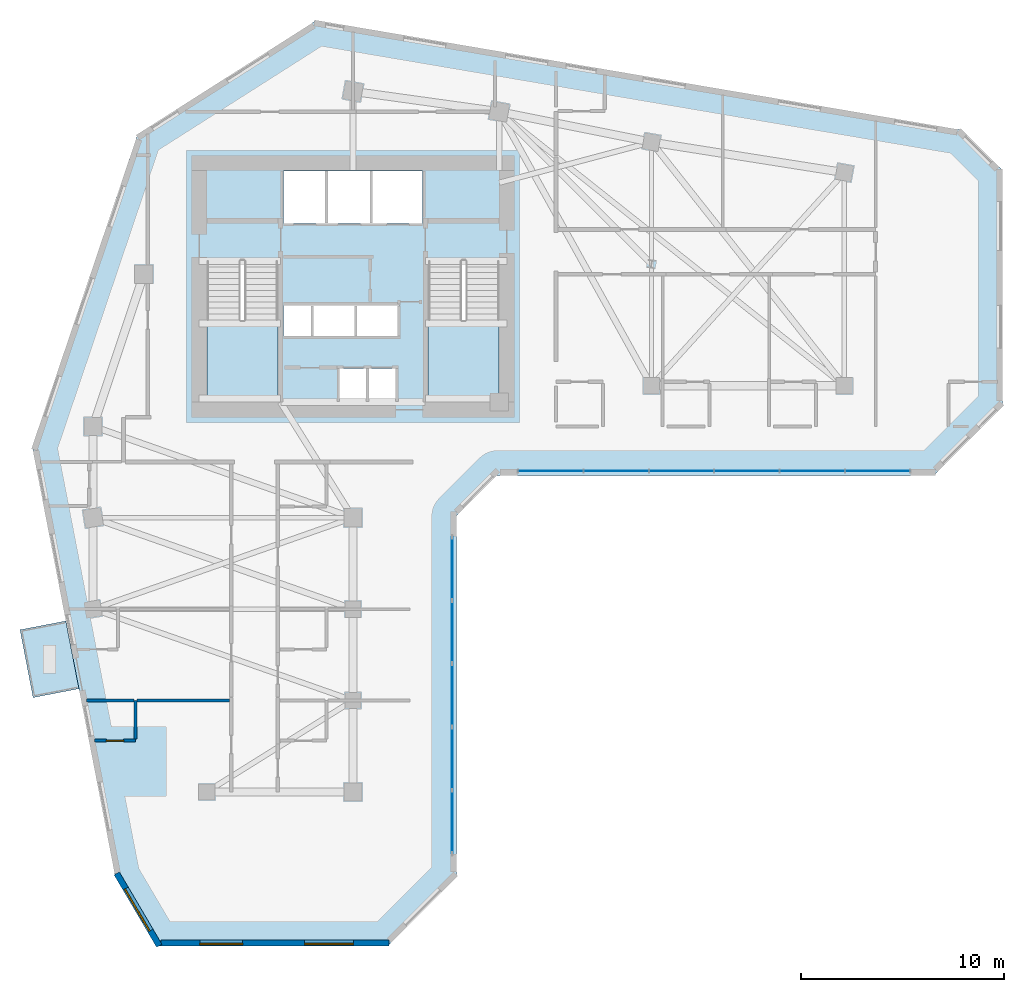
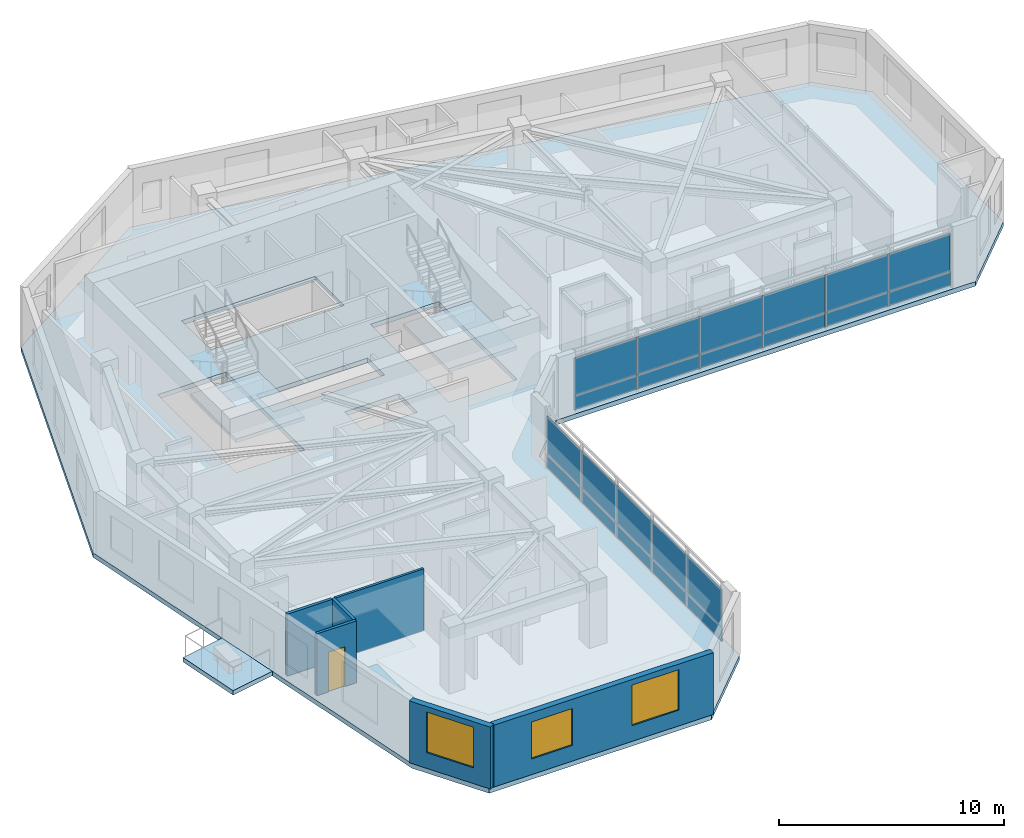
# One storey, part 4 of 12: 22 plates, 6 walls, 4 slabs, 3 windows, 1 door, 4 openings, 4 elements without a shape of their own.
"""IFC4 building model written with IfcOpenShell, lengths in metres."""

from ifc_helpers import new_model, si_unit, direction, frame, frame_2d, origin, place, context, subcontext, project, spatial, polyline, rectangle, outline, extrude, source, transform, mapped, material, layer, layer_set, type_object, element, fill, aggregate, save


model = new_model("IFC4")

# Units and contexts
model_context = context("Model", 3, precision=1e-05, world=origin(), true_north=direction((0.0, 1.0)))
body_context = subcontext(model_context, "Body", "Model", "MODEL_VIEW")
ifc_project = project(units=[si_unit("LENGTHUNIT", "METRE"), si_unit("AREAUNIT", "SQUARE_METRE"), si_unit("VOLUMEUNIT", "CUBIC_METRE"), si_unit("PLANEANGLEUNIT", "RADIAN"), si_unit("MASSUNIT", "GRAM", prefix="KILO")], contexts=[model_context])

# Site, building, storey
site_placement = place(None, origin())
site = spatial("IfcSite", under=ifc_project, at=site_placement, CompositionType="ELEMENT")
building_placement = place(site_placement, origin())
building = spatial("IfcBuilding", under=site, at=building_placement, Name="Calvemar Wedge Station Tower", CompositionType="ELEMENT")
storey_placement = place(building_placement, frame((0.0, 0.0, 121.39990234375)))
storey = spatial("IfcBuildingStorey", under=building, at=storey_placement, Name="L29", CompositionType="ELEMENT", Elevation=121.39990234375)

# Curtain wall, plates
ifc_material_1 = material(Name="Anodised aluminium 6063-T6", Category="aluminium")
curtain_wall_type = type_object("IfcCurtainWallType", Name="CW2", PredefinedType="NOTDEFINED", material=ifc_material_1)
curtain_wall_1_placement = place(storey_placement, origin())
curtain_wall_1 = element("IfcCurtainWall", 1, at=curtain_wall_1_placement, inside=storey, type_object=curtain_wall_type, Name="Storey L29 CW2 Recessed Unitised Curtain Wall 4", PredefinedType="NOTDEFINED")
ifc_material_2 = material(Name="Low-E laminated insulated glass", Category="glass")
ifc_layer_1 = layer(ifc_material_2, 0.028076171875)
ifc_layer_set_1 = layer_set([ifc_layer_1], Name="Low-E laminated insulated glass")
plate_type_1 = type_object("IfcPlateType", Name="CW2-GLZ", PredefinedType="CURTAIN_PANEL", material=ifc_layer_set_1)
plate_1_placement = place(storey_placement, frame((28.68603515625, 11.97998046875, 0.8701171875), z_axis=(0.0, 0.0, 1.0), x_axis=(0.0, 1.0, 0.0)))
plate_1 = element("IfcPlate", 2, at=plate_1_placement, type_object=plate_type_1, Name="CW2 vision glass panel 1", PredefinedType="CURTAIN_PANEL", context=body_context, shape_type="SweptSolid", body=[
    extrude(rectangle(XDim=3.08251953125, YDim=0.028076171875, at=frame_2d((1.541259765625, 0.0))), origin(), (0.0, 0.0, 1.0), 2.010009765625),
])
plate_2_placement = place(storey_placement, frame((28.68603515625, 15.098388671875, 0.8701171875), z_axis=(0.0, 0.0, 1.0), x_axis=(0.0, 1.0, 0.0)))
plate_2 = element("IfcPlate", 3, at=plate_2_placement, type_object=plate_type_1, Name="CW2 vision glass panel 2", PredefinedType="CURTAIN_PANEL", context=body_context, shape_type="SweptSolid", body=[
    extrude(rectangle(XDim=3.08251953125, YDim=0.028076171875, at=frame_2d((1.541259765625, 0.0))), origin(), (0.0, 0.0, 1.0), 2.010009765625),
])
plate_3_placement = place(storey_placement, frame((28.68603515625, 18.216796875, 0.8701171875), z_axis=(0.0, 0.0, 1.0), x_axis=(0.0, 1.0, 0.0)))
plate_3 = element("IfcPlate", 4, at=plate_3_placement, type_object=plate_type_1, Name="CW2 vision glass panel 3", PredefinedType="CURTAIN_PANEL", context=body_context, shape_type="SweptSolid", body=[
    extrude(rectangle(XDim=3.08251953125, YDim=0.028076171875, at=frame_2d((1.541259765625, 0.0))), origin(), (0.0, 0.0, 1.0), 2.010009765625),
])
plate_4_placement = place(storey_placement, frame((28.68603515625, 21.335205078125, 0.8701171875), z_axis=(0.0, 0.0, 1.0), x_axis=(0.0, 1.0, 0.0)))
plate_4 = element("IfcPlate", 5, at=plate_4_placement, type_object=plate_type_1, Name="CW2 vision glass panel 4", PredefinedType="CURTAIN_PANEL", context=body_context, shape_type="SweptSolid", body=[
    extrude(rectangle(XDim=3.08251953125, YDim=0.028076171875, at=frame_2d((1.541259765625, 0.0))), origin(), (0.0, 0.0, 1.0), 2.010009765625),
])
plate_5_placement = place(storey_placement, frame((28.68603515625, 24.45361328125, 0.8701171875), z_axis=(0.0, 0.0, 1.0), x_axis=(0.0, 1.0, 0.0)))
plate_5 = element("IfcPlate", 6, at=plate_5_placement, type_object=plate_type_1, Name="CW2 vision glass panel 5", PredefinedType="CURTAIN_PANEL", context=body_context, shape_type="SweptSolid", body=[
    extrude(rectangle(XDim=3.08251953125, YDim=0.028076171875, at=frame_2d((1.541259765625, 0.0))), origin(), (0.0, 0.0, 1.0), 2.010009765625),
])

curtain_wall_2_placement = place(storey_placement, origin())
curtain_wall_2 = element("IfcCurtainWall", 7, at=curtain_wall_2_placement, inside=storey, type_object=curtain_wall_type, Name="Storey L29 CW2 Recessed Unitised Curtain Wall 6", PredefinedType="NOTDEFINED")
plate_6_placement = place(storey_placement, frame((31.951904296875, 30.802001953125, 0.8701171875), z_axis=(0.0, 0.0, 1.0), x_axis=(1.0, 0.0, 0.0)))
plate_6 = element("IfcPlate", 8, at=plate_6_placement, type_object=plate_type_1, Name="CW2 vision glass panel 1", PredefinedType="CURTAIN_PANEL", context=body_context, shape_type="SweptSolid", body=[
    extrude(rectangle(XDim=3.181396484375, YDim=0.028076171875, at=frame_2d((1.5908203125, 0.0))), origin(), (0.0, 0.0, 1.0), 2.010009765625),
])
plate_7_placement = place(storey_placement, frame((35.169189453125, 30.802001953125, 0.8701171875), z_axis=(0.0, 0.0, 1.0), x_axis=(1.0, 0.0, 0.0)))
plate_7 = element("IfcPlate", 9, at=plate_7_placement, type_object=plate_type_1, Name="CW2 vision glass panel 2", PredefinedType="CURTAIN_PANEL", context=body_context, shape_type="SweptSolid", body=[
    extrude(rectangle(XDim=3.181396484375, YDim=0.028076171875, at=frame_2d((1.5908203125, 0.0))), origin(), (0.0, 0.0, 1.0), 2.010009765625),
])
plate_8_placement = place(storey_placement, frame((38.38671875, 30.802001953125, 0.8701171875), z_axis=(0.0, 0.0, 1.0), x_axis=(1.0, 0.0, 0.0)))
plate_8 = element("IfcPlate", 10, at=plate_8_placement, type_object=plate_type_1, Name="CW2 vision glass panel 3", PredefinedType="CURTAIN_PANEL", context=body_context, shape_type="SweptSolid", body=[
    extrude(rectangle(XDim=3.18115234375, YDim=0.028076171875, at=frame_2d((1.590576171875, 0.0))), origin(), (0.0, 0.0, 1.0), 2.010009765625),
])
plate_9_placement = place(storey_placement, frame((41.60400390625, 30.802001953125, 0.8701171875), z_axis=(0.0, 0.0, 1.0), x_axis=(1.0, 0.0, 0.0)))
plate_9 = element("IfcPlate", 11, at=plate_9_placement, type_object=plate_type_1, Name="CW2 vision glass panel 4", PredefinedType="CURTAIN_PANEL", context=body_context, shape_type="SweptSolid", body=[
    extrude(rectangle(XDim=3.18115234375, YDim=0.028076171875, at=frame_2d((1.590576171875, 0.0))), origin(), (0.0, 0.0, 1.0), 2.010009765625),
])
plate_10_placement = place(storey_placement, frame((44.8212890625, 30.802001953125, 0.8701171875), z_axis=(0.0, 0.0, 1.0), x_axis=(1.0, 0.0, 0.0)))
plate_10 = element("IfcPlate", 12, at=plate_10_placement, type_object=plate_type_1, Name="CW2 vision glass panel 5", PredefinedType="CURTAIN_PANEL", context=body_context, shape_type="SweptSolid", body=[
    extrude(rectangle(XDim=3.181396484375, YDim=0.028076171875, at=frame_2d((1.5908203125, 0.0))), origin(), (0.0, 0.0, 1.0), 2.010009765625),
])
plate_11_placement = place(storey_placement, frame((48.03857421875, 30.802001953125, 0.8701171875), z_axis=(0.0, 0.0, 1.0), x_axis=(1.0, 0.0, 0.0)))
plate_11 = element("IfcPlate", 13, at=plate_11_placement, type_object=plate_type_1, Name="CW2 vision glass panel 6", PredefinedType="CURTAIN_PANEL", context=body_context, shape_type="SweptSolid", body=[
    extrude(rectangle(XDim=3.181396484375, YDim=0.028076171875, at=frame_2d((1.5908203125, 0.0))), origin(), (0.0, 0.0, 1.0), 2.010009765625),
])

# Plate
ifc_material_3 = material(Name="Oxidized bronze aluminium spandrel panel 5005-H24", Category="aluminium")
ifc_layer_2 = layer(ifc_material_3, 0.0400390625)
ifc_layer_set_2 = layer_set([ifc_layer_2], Name="Oxidized bronze aluminium spandrel panel 5005-H24")
plate_type_2 = type_object("IfcPlateType", Name="CW2-SPD", PredefinedType="SHEET", material=ifc_layer_set_2)
plate_12_placement = place(storey_placement, frame((28.68603515625, 11.97998046875, 0.080078125), z_axis=(0.0, 0.0, 1.0), x_axis=(0.0, 1.0, 0.0)))
plate_12 = element("IfcPlate", 14, at=plate_12_placement, type_object=plate_type_2, Name="CW2 bronze spandrel panel 1", PredefinedType="SHEET", context=body_context, shape_type="SweptSolid", body=[
    extrude(rectangle(XDim=3.08251953125, YDim=0.0400390625, at=frame_2d((1.541259765625, 0.0))), origin(), (0.0, 0.0, 1.0), 0.75),
])

plate_13_placement = place(storey_placement, frame((28.68603515625, 15.098388671875, 0.080078125), z_axis=(0.0, 0.0, 1.0), x_axis=(0.0, 1.0, 0.0)))
plate_13 = element("IfcPlate", 15, at=plate_13_placement, type_object=plate_type_2, Name="CW2 bronze spandrel panel 2", PredefinedType="SHEET", context=body_context, shape_type="SweptSolid", body=[
    extrude(rectangle(XDim=3.08251953125, YDim=0.0400390625, at=frame_2d((1.541259765625, 0.0))), origin(), (0.0, 0.0, 1.0), 0.75),
])

plate_14_placement = place(storey_placement, frame((28.68603515625, 18.216796875, 0.080078125), z_axis=(0.0, 0.0, 1.0), x_axis=(0.0, 1.0, 0.0)))
plate_14 = element("IfcPlate", 16, at=plate_14_placement, type_object=plate_type_2, Name="CW2 bronze spandrel panel 3", PredefinedType="SHEET", context=body_context, shape_type="SweptSolid", body=[
    extrude(rectangle(XDim=3.08251953125, YDim=0.0400390625, at=frame_2d((1.541259765625, 0.0))), origin(), (0.0, 0.0, 1.0), 0.75),
])

plate_15_placement = place(storey_placement, frame((28.68603515625, 21.335205078125, 0.080078125), z_axis=(0.0, 0.0, 1.0), x_axis=(0.0, 1.0, 0.0)))
plate_15 = element("IfcPlate", 17, at=plate_15_placement, type_object=plate_type_2, Name="CW2 bronze spandrel panel 4", PredefinedType="SHEET", context=body_context, shape_type="SweptSolid", body=[
    extrude(rectangle(XDim=3.08251953125, YDim=0.0400390625, at=frame_2d((1.541259765625, 0.0))), origin(), (0.0, 0.0, 1.0), 0.75),
])

plate_16_placement = place(storey_placement, frame((28.68603515625, 24.45361328125, 0.080078125), z_axis=(0.0, 0.0, 1.0), x_axis=(0.0, 1.0, 0.0)))
plate_16 = element("IfcPlate", 18, at=plate_16_placement, type_object=plate_type_2, Name="CW2 bronze spandrel panel 5", PredefinedType="SHEET", context=body_context, shape_type="SweptSolid", body=[
    extrude(rectangle(XDim=3.08251953125, YDim=0.0400390625, at=frame_2d((1.541259765625, 0.0))), origin(), (0.0, 0.0, 1.0), 0.75),
])

aggregate(curtain_wall_1, [plate_12, plate_1, plate_13, plate_2, plate_14, plate_3, plate_15, plate_4, plate_16, plate_5])

plate_17_placement = place(storey_placement, frame((31.951904296875, 30.802001953125, 0.080078125), z_axis=(0.0, 0.0, 1.0), x_axis=(1.0, 0.0, 0.0)))
plate_17 = element("IfcPlate", 19, at=plate_17_placement, type_object=plate_type_2, Name="CW2 bronze spandrel panel 1", PredefinedType="SHEET", context=body_context, shape_type="SweptSolid", body=[
    extrude(rectangle(XDim=3.181396484375, YDim=0.0400390625, at=frame_2d((1.5908203125, 0.0))), origin(), (0.0, 0.0, 1.0), 0.75),
])

plate_18_placement = place(storey_placement, frame((35.169189453125, 30.802001953125, 0.080078125), z_axis=(0.0, 0.0, 1.0), x_axis=(1.0, 0.0, 0.0)))
plate_18 = element("IfcPlate", 20, at=plate_18_placement, type_object=plate_type_2, Name="CW2 bronze spandrel panel 2", PredefinedType="SHEET", context=body_context, shape_type="SweptSolid", body=[
    extrude(rectangle(XDim=3.181396484375, YDim=0.0400390625, at=frame_2d((1.5908203125, 0.0))), origin(), (0.0, 0.0, 1.0), 0.75),
])

plate_19_placement = place(storey_placement, frame((38.38671875, 30.802001953125, 0.080078125), z_axis=(0.0, 0.0, 1.0), x_axis=(1.0, 0.0, 0.0)))
plate_19 = element("IfcPlate", 21, at=plate_19_placement, type_object=plate_type_2, Name="CW2 bronze spandrel panel 3", PredefinedType="SHEET", context=body_context, shape_type="SweptSolid", body=[
    extrude(rectangle(XDim=3.18115234375, YDim=0.0400390625, at=frame_2d((1.590576171875, 0.0))), origin(), (0.0, 0.0, 1.0), 0.75),
])

plate_20_placement = place(storey_placement, frame((41.60400390625, 30.802001953125, 0.080078125), z_axis=(0.0, 0.0, 1.0), x_axis=(1.0, 0.0, 0.0)))
plate_20 = element("IfcPlate", 22, at=plate_20_placement, type_object=plate_type_2, Name="CW2 bronze spandrel panel 4", PredefinedType="SHEET", context=body_context, shape_type="SweptSolid", body=[
    extrude(rectangle(XDim=3.18115234375, YDim=0.0400390625, at=frame_2d((1.590576171875, 0.0))), origin(), (0.0, 0.0, 1.0), 0.75),
])

plate_21_placement = place(storey_placement, frame((44.8212890625, 30.802001953125, 0.080078125), z_axis=(0.0, 0.0, 1.0), x_axis=(1.0, 0.0, 0.0)))
plate_21 = element("IfcPlate", 23, at=plate_21_placement, type_object=plate_type_2, Name="CW2 bronze spandrel panel 5", PredefinedType="SHEET", context=body_context, shape_type="SweptSolid", body=[
    extrude(rectangle(XDim=3.181396484375, YDim=0.0400390625, at=frame_2d((1.5908203125, 0.0))), origin(), (0.0, 0.0, 1.0), 0.75),
])

plate_22_placement = place(storey_placement, frame((48.03857421875, 30.802001953125, 0.080078125), z_axis=(0.0, 0.0, 1.0), x_axis=(1.0, 0.0, 0.0)))
plate_22 = element("IfcPlate", 24, at=plate_22_placement, type_object=plate_type_2, Name="CW2 bronze spandrel panel 6", PredefinedType="SHEET", context=body_context, shape_type="SweptSolid", body=[
    extrude(rectangle(XDim=3.181396484375, YDim=0.0400390625, at=frame_2d((1.5908203125, 0.0))), origin(), (0.0, 0.0, 1.0), 0.75),
])

aggregate(curtain_wall_2, [plate_17, plate_6, plate_18, plate_7, plate_19, plate_8, plate_20, plate_9, plate_21, plate_10, plate_22, plate_11])

# Stair, slab
ifc_material_4 = material(Name="Concrete C45", Category="concrete")
stair_type = type_object("IfcStairType", Name="ST-TYPE-3600", PredefinedType="HALF_TURN_STAIR", material=ifc_material_4)
stair_1_placement = place(storey_placement, origin())
stair_1 = element("IfcStair", 25, at=stair_1_placement, inside=storey, type_object=stair_type, Name="L29 Pressurized Core Exit Stair ST-C1", PredefinedType="HALF_TURN_STAIR")
ifc_layer_3 = layer(ifc_material_4, 0.199951171875)
ifc_layer_set_3 = layer_set([ifc_layer_3], Name="Concrete C45")
slab_type_1 = type_object("IfcSlabType", Name="SL-STAIR-LND-200", PredefinedType="LANDING", material=ifc_layer_set_3)
slab_1_placement = place(storey_placement, frame((0.0, 0.0, 1.60009765625)))
slab_1 = element("IfcSlab", 26, at=slab_1_placement, type_object=slab_type_1, Name="ST-C1 landing 1", PredefinedType="LANDING", context=body_context, shape_type="SweptSolid", body=[
    extrude(outline(polyline([(16.60009765625, 38.25), (16.60009765625, 34.199951171875), (20.10009765625, 34.199951171875), (20.10009765625, 38.25), (16.60009765625, 38.25)])), origin(), (0.0, 0.0, 1.0), 0.199951171875),
])
aggregate(stair_1, [slab_1])

stair_2_placement = place(storey_placement, origin())
stair_2 = element("IfcStair", 27, at=stair_2_placement, inside=storey, type_object=stair_type, Name="L29 Pressurized Core Exit Stair ST-C2", PredefinedType="HALF_TURN_STAIR")
slab_2_placement = place(storey_placement, frame((0.0, 0.0, 1.60009765625)))
slab_2 = element("IfcSlab", 28, at=slab_2_placement, type_object=slab_type_1, Name="ST-C2 landing 1", PredefinedType="LANDING", context=body_context, shape_type="SweptSolid", body=[
    extrude(outline(polyline([(27.5, 38.25), (27.5, 34.199951171875), (31.0, 34.199951171875), (31.0, 38.25), (27.5, 38.25)])), origin(), (0.0, 0.0, 1.0), 0.199951171875),
])
aggregate(stair_2, [slab_2])

# Slabs
ifc_layer_4 = layer(ifc_material_4, 0.239990234375)
ifc_layer_set_4 = layer_set([ifc_layer_4], Name="Concrete C45")
slab_type_2 = type_object("IfcSlabType", Name="SL-TERR-240", PredefinedType="FLOOR", material=ifc_layer_set_4)
slab_3_placement = place(storey_placement, frame((0.0, 0.0, -0.239990234375)))
element("IfcSlab", 29, at=slab_3_placement, inside=storey, type_object=slab_type_2, Name="Storey L29 Planted Spiral Terrace Slab", PredefinedType="FLOOR", context=body_context, shape_type="SweptSolid", body=[
    extrude(outline(polyline([(9.657958984375, 23.4189453125), (7.39990234375, 22.98291015625), (8.044921875, 19.64501953125), (10.302978515625, 20.0810546875), (9.657958984375, 23.4189453125)])), origin(), (0.0, 0.0, 1.0), 0.239990234375),
])
ifc_material_5 = material(Name="Concrete C50", Category="concrete")
ifc_layer_5 = layer(ifc_material_5, 0.25)
ifc_layer_set_5 = layer_set([ifc_layer_5], Name="Concrete C50")
slab_type_3 = type_object("IfcSlabType", Name="SL-TYP-250", PredefinedType="FLOOR", material=ifc_layer_set_5)
slab_4_placement = place(storey_placement, frame((0.0, 0.0, -0.25)))
element("IfcSlab", 30, at=slab_4_placement, inside=storey, type_object=slab_type_3, Name="Storey L29 Structural Floor Slab", PredefinedType="FLOOR", context=body_context, shape_type="SweptSolid", body=[
    extrude(outline(polyline([(8.0, 32.0), (12.095947265625, 10.800048828125), (14.095947265625, 7.39990234375), (25.49609375, 7.39990234375), (28.89599609375, 10.800048828125), (28.89599609375, 28.592041015625), (30.89599609375, 30.592041015625), (52.39990234375, 30.592041015625), (55.800048828125, 33.991943359375), (55.800048828125, 45.592041015625), (53.800048828125, 47.592041015625), (22.0, 53.0), (13.199951171875, 47.39990234375), (8.0, 32.0)]), holes=[polyline([(24.52001953125, 35.85009765625), (24.510009765625, 35.85009765625), (23.1201171875, 35.85009765625), (23.1201171875, 34.219970703125), (24.510009765625, 34.219970703125), (24.52001953125, 34.219970703125), (25.909912109375, 34.219970703125), (25.909912109375, 35.85009765625), (24.52001953125, 35.85009765625)]), polyline([(16.60009765625, 34.199951171875), (20.10009765625, 34.199951171875), (20.10009765625, 41.14990234375), (16.60009765625, 41.14990234375), (16.60009765625, 34.199951171875)]), polyline([(27.5, 34.199951171875), (31.0, 34.199951171875), (31.0, 41.14990234375), (27.5, 41.14990234375), (27.5, 34.199951171875)]), polyline([(21.800048828125, 38.949951171875), (21.7900390625, 38.949951171875), (20.3798828125, 38.949951171875), (20.3798828125, 37.449951171875), (21.7900390625, 37.449951171875), (21.800048828125, 37.449951171875), (23.929931640625, 37.449951171875), (23.93994140625, 37.449951171875), (26.080078125, 37.449951171875), (26.080078125, 38.949951171875), (23.93994140625, 38.949951171875), (23.929931640625, 38.949951171875), (21.800048828125, 38.949951171875)]), polyline([(27.219970703125, 43.0), (27.219970703125, 45.580078125), (20.3798828125, 45.580078125), (20.3798828125, 43.0), (27.219970703125, 43.0)])]), origin(), (0.0, 0.0, 1.0), 0.25),
])

# Wall, opening, window
ifc_material_6 = material(Name="Precast concrete C45", Category="concrete")
ifc_layer_6 = layer(ifc_material_6, 0.300048828125)
ifc_layer_set_6 = layer_set([ifc_layer_6], Name="Precast concrete C45")
wall_type_1 = type_object("IfcWallType", Name="W-EXT-GFRC-300", PredefinedType="SOLIDWALL", material=ifc_layer_set_6)
wall_1_placement = place(storey_placement, frame((12.162353515625, 10.983154296875, 0.0), z_axis=(0.0, 0.0, 1.0), x_axis=(0.506996893234, -0.861947881401, 0.0)))
wall_1 = element("IfcWall", 31, at=wall_1_placement, inside=storey, type_object=wall_type_1, Name="Storey L29 Bronze GFRC Exterior Wall 1", PredefinedType="SOLIDWALL", context=body_context, shape_type="SweptSolid", body=[
    extrude(rectangle(XDim=4.133056640625, YDim=0.300048828125, at=frame_2d((2.06640625, 0.0))), origin(), (0.0, 0.0, 1.0), 3.35009765625),
])
shared_shape_1 = source(origin(), body_context, "Body", "SweptSolid", [
    extrude(rectangle(XDim=2.39990234375, YDim=2.199951171875, at=frame_2d((1.199951171875, 1.10009765625))), frame((0.0, 0.16015625, 0.0), z_axis=(0.0, -1.0, 0.0), x_axis=(1.0, 0.0, 0.0)), (0.0, 0.0, 1.0), 0.320068359375),
])
opening_1_placement = place(wall_1_placement, frame((0.866943359375, 0.0, 0.85009765625)))
opening_1 = element("IfcOpeningElement", 32, at=opening_1_placement, cuts=wall_1, Name="Opening W1", PredefinedType="OPENING", context=body_context, shape_type="MappedRepresentation", body=[
    mapped(shared_shape_1, transform((0.0, 0.0, 0.0), scale=1.0)),
])
window_type_1 = type_object("IfcWindowType", Name="WIN-EXT-1", PartitioningType="SINGLE_PANEL", PredefinedType="WINDOW", material=ifc_material_2)
shared_shape_2 = source(origin(), body_context, "Body", "SweptSolid", [
    extrude(rectangle(XDim=2.39990234375, YDim=2.199951171875, at=frame_2d((1.199951171875, 1.10009765625))), frame((0.0, -0.014892578125, 0.0), z_axis=(0.0, -1.0, 0.0), x_axis=(1.0, 0.0, 0.0)), (0.0, 0.0, 1.0), 0.06005859375),
])
window_1_placement = place(opening_1_placement, origin())
window_1 = element("IfcWindow", 33, at=window_1_placement, inside=storey, type_object=window_type_1, Name="Storey L29 Recessed Window 1.1", OverallHeight=2.199951171875, OverallWidth=2.39990234375, PartitioningType="SINGLE_PANEL", PredefinedType="WINDOW", context=body_context, shape_type="MappedRepresentation", body=[
    mapped(shared_shape_2, transform((0.0, 0.0, 0.0), scale=1.0)),
])
fill(opening_1, window_1)

# Wall, openings, windows
wall_2_placement = place(storey_placement, frame((14.341796875, 7.550048828125, 0.0), z_axis=(0.0, 0.0, 1.0), x_axis=(1.0, 0.0, 0.0)))
wall_2 = element("IfcWall", 34, at=wall_2_placement, inside=storey, type_object=wall_type_1, Name="Storey L29 Bronze GFRC Exterior Wall 2", PredefinedType="SOLIDWALL", context=body_context, shape_type="SweptSolid", body=[
    extrude(rectangle(XDim=11.2421875, YDim=0.300048828125, at=frame_2d((5.62109375, 0.0))), origin(), (0.0, 0.0, 1.0), 3.35009765625),
])
shared_shape_3 = source(origin(), body_context, "Body", "SweptSolid", [
    extrude(rectangle(XDim=2.10009765625, YDim=2.0, at=frame_2d((1.050048828125, 1.0))), frame((0.0, 0.16015625, 0.0), z_axis=(0.0, -1.0, 0.0), x_axis=(1.0, 0.0, 0.0)), (0.0, 0.0, 1.0), 0.320068359375),
])
opening_2_placement = place(wall_2_placement, frame((1.9208984375, 0.0, 0.85009765625)))
opening_2 = element("IfcOpeningElement", 35, at=opening_2_placement, cuts=wall_2, Name="Opening W4", PredefinedType="OPENING", context=body_context, shape_type="MappedRepresentation", body=[
    mapped(shared_shape_3, transform((0.0, 0.0, 0.0), scale=1.0)),
])
opening_3_placement = place(wall_2_placement, frame((7.072021484375, 0.0, 0.85009765625)))
opening_3 = element("IfcOpeningElement", 36, at=opening_3_placement, cuts=wall_2, Name="Opening W1", PredefinedType="OPENING", context=body_context, shape_type="MappedRepresentation", body=[
    mapped(shared_shape_1, transform((0.0, 0.0, 0.0), scale=1.0)),
])
window_type_2 = type_object("IfcWindowType", Name="WIN-EXT-4", PartitioningType="SINGLE_PANEL", PredefinedType="WINDOW", material=ifc_material_2)
shared_shape_4 = source(origin(), body_context, "Body", "SweptSolid", [
    extrude(rectangle(XDim=2.10009765625, YDim=2.0, at=frame_2d((1.050048828125, 1.0))), frame((0.0, -0.014892578125, 0.0), z_axis=(0.0, -1.0, 0.0), x_axis=(1.0, 0.0, 0.0)), (0.0, 0.0, 1.0), 0.06005859375),
])
window_2_placement = place(opening_2_placement, origin())
window_2 = element("IfcWindow", 37, at=window_2_placement, inside=storey, type_object=window_type_2, Name="Storey L29 Recessed Window 2.1", OverallHeight=2.0, OverallWidth=2.10009765625, PartitioningType="SINGLE_PANEL", PredefinedType="WINDOW", context=body_context, shape_type="MappedRepresentation", body=[
    mapped(shared_shape_4, transform((0.0, 0.0, 0.0), scale=1.0)),
])
fill(opening_2, window_2)
window_3_placement = place(opening_3_placement, origin())
window_3 = element("IfcWindow", 38, at=window_3_placement, inside=storey, type_object=window_type_1, Name="Storey L29 Recessed Window 2.2", OverallHeight=2.199951171875, OverallWidth=2.39990234375, PartitioningType="SINGLE_PANEL", PredefinedType="WINDOW", context=body_context, shape_type="MappedRepresentation", body=[
    mapped(shared_shape_2, transform((0.0, 0.0, 0.0), scale=1.0)),
])
fill(opening_3, window_3)

# Wall
ifc_material_7 = material(Name="Insulated acoustic gypsum stud partition")
ifc_layer_7 = layer(ifc_material_7, 0.125)
ifc_layer_set_7 = layer_set([ifc_layer_7], Name="Insulated acoustic gypsum stud partition")
wall_type_2 = type_object("IfcWallType", Name="W-PART-125", PredefinedType="PARTITIONING", material=ifc_layer_set_7)
wall_3_placement = place(storey_placement, frame((13.1640625, 19.5, 0.0), z_axis=(0.0, 0.0, 1.0), x_axis=(1.0, 0.0, 0.0)))
element("IfcWall", 39, at=wall_3_placement, inside=storey, type_object=wall_type_2, Name="Storey L29 Interior Partition WL-L29-055", PredefinedType="PARTITIONING", context=body_context, shape_type="SweptSolid", body=[
    extrude(rectangle(XDim=4.5419921875, YDim=0.125, at=frame_2d((2.27099609375, 0.0))), origin(), (0.0, 0.0, 1.0), 3.35009765625),
])

# Wall, opening, door
ifc_material_8 = material(Name="Moisture-resistant acoustic bathroom partition")
ifc_layer_8 = layer(ifc_material_8, 0.14990234375)
ifc_layer_set_8 = layer_set([ifc_layer_8], Name="Moisture-resistant acoustic bathroom partition")
wall_type_3 = type_object("IfcWallType", Name="W-WET-150", PredefinedType="PARTITIONING", material=ifc_layer_set_8)
wall_4_placement = place(storey_placement, frame((13.0849609375, 17.52001953125, 0.0), z_axis=(0.0, 0.0, 1.0), x_axis=(-1.0, 0.0, 0.0)))
wall_4 = element("IfcWall", 40, at=wall_4_placement, inside=storey, type_object=wall_type_3, Name="Storey L29 Interior Partition WL-L29-052", PredefinedType="PARTITIONING", context=body_context, shape_type="SweptSolid", body=[
    extrude(rectangle(XDim=2.017578125, YDim=0.14990234375, at=frame_2d((1.0087890625, 0.0))), origin(), (0.0, 0.0, 1.0), 3.35009765625),
])
shared_shape_5 = source(origin(), body_context, "Body", "SweptSolid", [
    extrude(rectangle(XDim=0.85009765625, YDim=2.14990234375, at=frame_2d((0.425048828125, 1.074951171875))), frame((0.0, 0.0849609375, 0.0), z_axis=(0.0, -1.0, 0.0), x_axis=(1.0, 0.0, 0.0)), (0.0, 0.0, 1.0), 0.169921875),
])
opening_4_placement = place(wall_4_placement, frame((0.583740234375, 0.0, 0.0)))
opening_4 = element("IfcOpeningElement", 41, at=opening_4_placement, cuts=wall_4, Name="Opening D-02", PredefinedType="OPENING", context=body_context, shape_type="MappedRepresentation", body=[
    mapped(shared_shape_5, transform((0.0, 0.0, 0.0), scale=1.0)),
])
ifc_material_9 = material(Name="Moisture-sealed bathroom hardwood swing door", Category="wood")
door_type = type_object("IfcDoorType", Name="DR-WET-850", OperationType="NOTDEFINED", PredefinedType="DOOR", material=ifc_material_9)
shared_shape_6 = source(origin(), body_context, "Body", "SweptSolid", [
    extrude(rectangle(XDim=0.85009765625, YDim=2.14990234375, at=frame_2d((0.425048828125, 1.074951171875))), frame((0.0, 0.02490234375, 0.0), z_axis=(0.0, -1.0, 0.0), x_axis=(1.0, 0.0, 0.0)), (0.0, 0.0, 1.0), 0.050048828125),
])
door_placement = place(opening_4_placement, origin())
door = element("IfcDoor", 42, at=door_placement, inside=storey, type_object=door_type, Name="L29 En-Suite Bathroom Door", OperationType="SINGLE_SWING_RIGHT", OverallHeight=2.14990234375, OverallWidth=0.85009765625, PredefinedType="DOOR", context=body_context, shape_type="MappedRepresentation", body=[
    mapped(shared_shape_6, transform((0.0, 0.0, 0.0), scale=1.0)),
])
fill(opening_4, door)

# Walls
wall_5_placement = place(storey_placement, frame((13.0849609375, 19.5, 0.0), z_axis=(0.0, 0.0, 1.0), x_axis=(0.0, -1.0, 0.0)))
element("IfcWall", 43, at=wall_5_placement, inside=storey, type_object=wall_type_3, Name="Storey L29 Interior Partition WL-L29-053", PredefinedType="PARTITIONING", context=body_context, shape_type="SweptSolid", body=[
    extrude(rectangle(XDim=1.90087890625, YDim=0.14990234375, at=frame_2d((0.950439453125, 0.0))), origin(), (0.0, 0.0, 1.0), 3.35009765625),
])
wall_6_placement = place(storey_placement, frame((10.68505859375, 19.5, 0.0), z_axis=(0.0, 0.0, 1.0), x_axis=(1.0, 0.0, 0.0)))
element("IfcWall", 44, at=wall_6_placement, inside=storey, type_object=wall_type_3, Name="Storey L29 Interior Partition WL-L29-054", PredefinedType="PARTITIONING", context=body_context, shape_type="SweptSolid", body=[
    extrude(rectangle(XDim=2.321044921875, YDim=0.14990234375, at=frame_2d((1.16064453125, 0.0))), origin(), (0.0, 0.0, 1.0), 3.35009765625),
])

save(model, "model.ifc")
